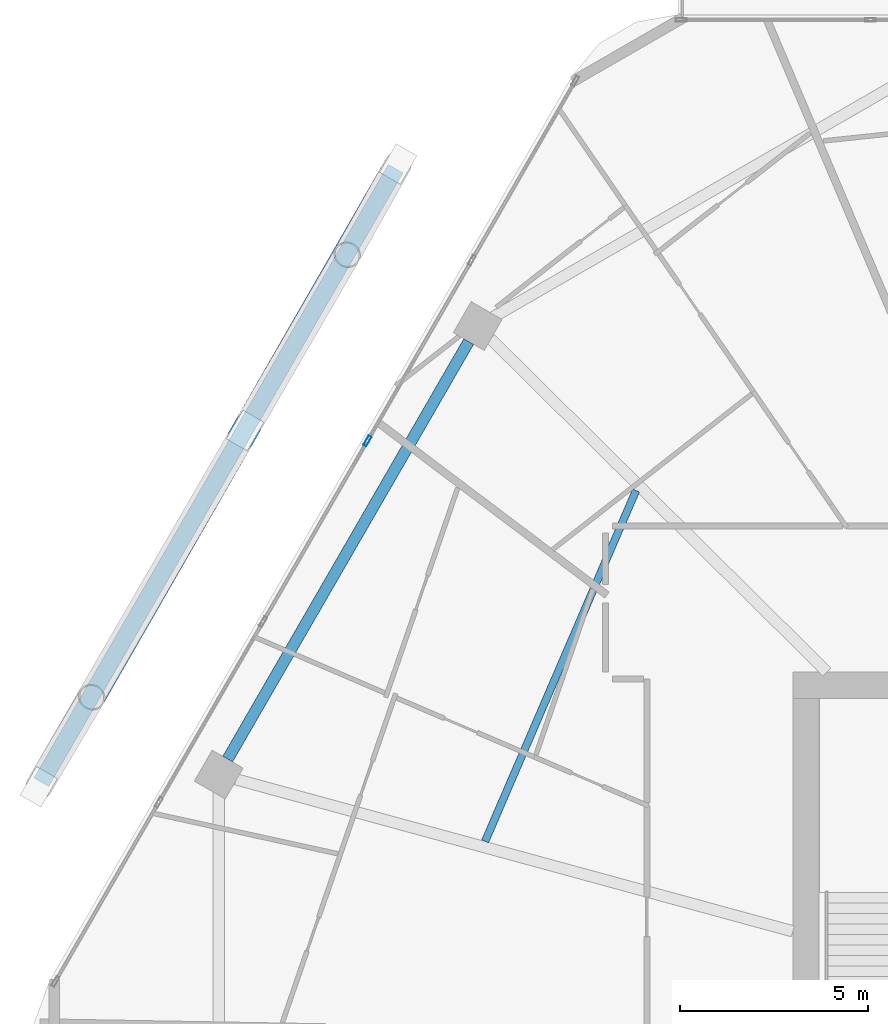
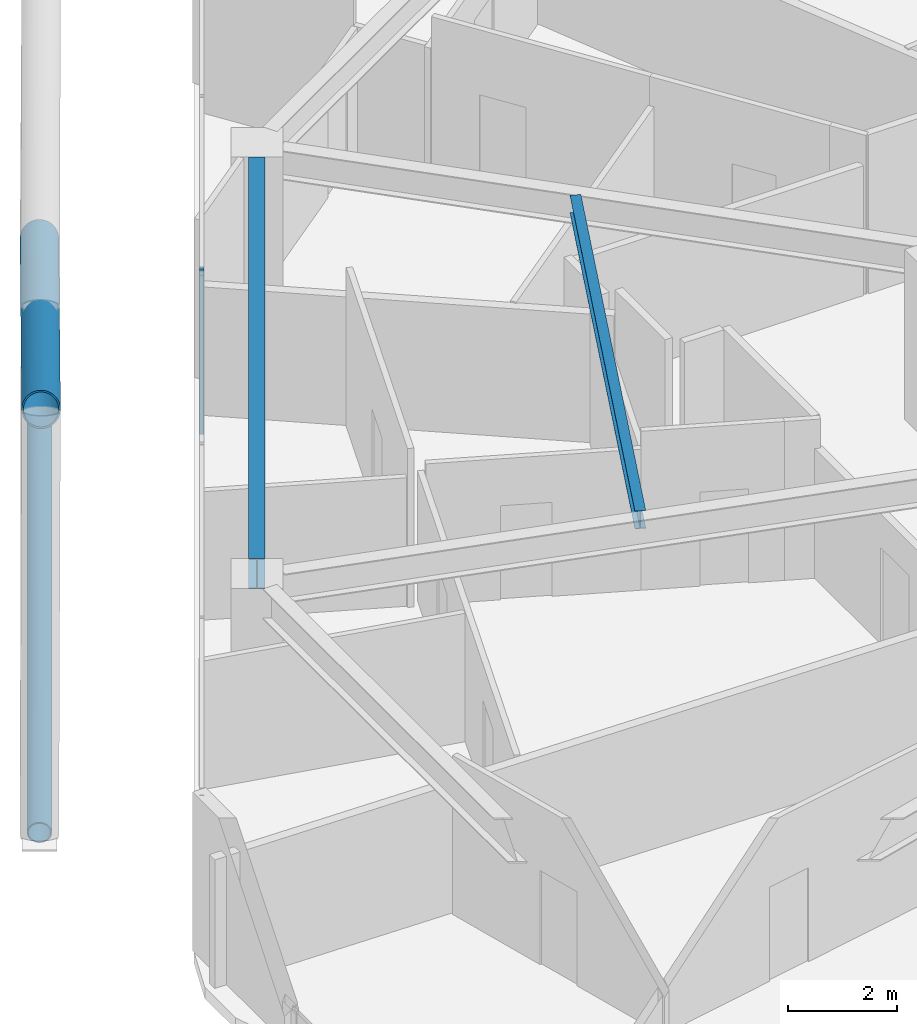
# One storey, part 11 of 28: 3 members, 2 beams, 1 element without a shape of its own.
"""IFC4 building model written with IfcOpenShell, lengths in metres."""

from ifc_helpers import new_model, si_unit, direction, frame, origin, origin_2d, place, context, subcontext, project, spatial, hollow_rectangle, hollow_circle, i_section, extrude, material, material_profile, profile_set, type_object, element, aggregate, save


model = new_model("IFC4")

# Units and contexts
model_context = context("Model", 3, precision=1e-05, world=origin(), true_north=direction((0.0, 1.0)))
body_context = subcontext(model_context, "Body", "Model", "MODEL_VIEW")
ifc_project = project(units=[si_unit("LENGTHUNIT", "METRE"), si_unit("AREAUNIT", "SQUARE_METRE"), si_unit("VOLUMEUNIT", "CUBIC_METRE"), si_unit("PLANEANGLEUNIT", "RADIAN"), si_unit("MASSUNIT", "GRAM", prefix="KILO")], contexts=[model_context])

# Site, building, storey
site_placement = place(None, origin())
site = spatial("IfcSite", under=ifc_project, at=site_placement, CompositionType="ELEMENT")
building_placement = place(site_placement, origin())
building = spatial("IfcBuilding", under=site, at=building_placement, Name="Zuhravey Tower", CompositionType="ELEMENT")
storey_placement = place(building_placement, frame((0.0, 0.0, 207.39990234375)))
storey = spatial("IfcBuildingStorey", under=building, at=storey_placement, Name="L52", CompositionType="ELEMENT", Elevation=207.39990234375)

# Curtain wall, member
ifc_material_1 = material(Name="Thermally broken anodised aluminium", Category="aluminium")
curtain_wall_type = type_object("IfcCurtainWallType", Name="Zone 1-2 Residential Curtain Wall CW3", PredefinedType="NOTDEFINED", material=ifc_material_1)
curtain_wall_placement = place(storey_placement, origin())
curtain_wall = element("IfcCurtainWall", 1, at=curtain_wall_placement, inside=storey, type_object=curtain_wall_type, Name="L52 CW3 CW-L52-F3-1", PredefinedType="NOTDEFINED")
ifc_material_2 = material(Name="Anodised aluminium", Category="aluminium")
ifc_material_profile_1 = material_profile(ifc_material_2, hollow_rectangle(XDim=0.090087890625, YDim=0.284912109375, WallThickness=0.0048828125, at=origin_2d()), Name="ALU-RHS-90x285x5")
ifc_profile_set_1 = profile_set([ifc_material_profile_1], Name="Anodised aluminium")
member_type_1 = type_object("IfcMemberType", Name="Curtain-Wall Mullion 90x180", PredefinedType="MULLION", material=ifc_profile_set_1)
member_1_placement = place(storey_placement, frame((13.844970703125, 47.992431640625, 0.0), z_axis=(0.0, 0.0, 1.0), x_axis=(-0.866025138215, 0.500000459979, 0.0)))
member_1 = element("IfcMember", 2, at=member_1_placement, type_object=member_type_1, Name="CW3 mullion 4", PredefinedType="MULLION", context=body_context, shape_type="SweptSolid", body=[
    extrude(hollow_rectangle(XDim=0.090087890625, YDim=0.284912109375, WallThickness=0.0048828125, at=origin_2d()), origin(), (0.0, 0.0, 1.0), 3.550048828125),
])
aggregate(curtain_wall, [member_1])

# Members
ifc_material_3 = material(Name="Steel SM355", Category="steel")
ifc_material_profile_2 = material_profile(ifc_material_3, hollow_circle(Radius=0.228515625, WallThickness=0.02197265625, at=origin_2d()), Name="CHS-457.2x22")
ifc_profile_set_2 = profile_set([ifc_material_profile_2], Name="Steel SM355")
member_type_2 = type_object("IfcMemberType", Name="Exoskeleton Ring Tie CHS457x22", PredefinedType="CHORD", material=ifc_profile_set_2)
member_2_placement = place(storey_placement, frame((14.593994140625, 55.230224609375, -0.4638671875), z_axis=(-0.499989194203, -0.866031642424, 0.0), x_axis=(0.866031642424, -0.499989194203, 0.0)))
element("IfcMember", 3, at=member_2_placement, inside=storey, type_object=member_type_2, Name="L52 Exoskeleton Face 3 Tie EXR1", PredefinedType="CHORD", context=body_context, shape_type="SweptSolid", body=[
    extrude(hollow_circle(Radius=0.228515625, WallThickness=0.02197265625, at=origin_2d()), origin(), (0.0, 0.0, 1.0), 18.830078125),
])
ifc_material_4 = material(Name="Steel SM460", Category="steel")
ifc_material_profile_3 = material_profile(ifc_material_4, hollow_circle(Radius=0.355712890625, WallThickness=0.031982421875, at=origin_2d()), Name="CHS-711.2x32")
ifc_profile_set_3 = profile_set([ifc_material_profile_3], Name="Steel SM460")
member_type_3 = type_object("IfcMemberType", Name="Exoskeleton Zone 2 Diagrid CHS711x32", PredefinedType="BRACE", material=ifc_profile_set_3)
member_3_placement = place(storey_placement, frame((14.642578125, 55.314208984375, -0.44384765625), z_axis=(-0.45188395547, -0.786046235385, 0.42182011169), x_axis=(0.866950447495, -0.498394343455, 0.0)))
element("IfcMember", 4, at=member_3_placement, inside=storey, type_object=member_type_3, Name="L52 Face 3 Diagrid Brace 2", PredefinedType="BRACE", context=body_context, shape_type="SweptSolid", body=[
    extrude(hollow_circle(Radius=0.355712890625, WallThickness=0.031982421875, at=origin_2d()), origin(), (0.0, 0.0, 1.0), 17.92236328125),
])

# Beams
ifc_material_profile_4 = material_profile(ifc_material_3, i_section(OverallWidth=0.300048828125, OverallDepth=0.679931640625, WebThickness=0.012939453125, FlangeThickness=0.02197265625, at=origin_2d()), Name="H-680x300x13x22")
ifc_profile_set_4 = profile_set([ifc_material_profile_4], Name="Steel SM355")
beam_type_1 = type_object("IfcBeamType", Name="Perimeter Ring Beam H680x300", PredefinedType="BEAM", material=ifc_profile_set_4)
beam_1_placement = place(storey_placement, frame((16.535400390625, 50.632568359375, 3.210205078125), z_axis=(-0.500003505699, -0.866023379758, 0.0), x_axis=(0.866023379758, -0.500003505699, 0.0)))
element("IfcBeam", 5, at=beam_1_placement, inside=storey, type_object=beam_type_1, Name="L52 PB2 BM-L52-PB-05", PredefinedType="BEAM", context=body_context, shape_type="SweptSolid", body=[
    extrude(i_section(OverallWidth=0.300048828125, OverallDepth=0.679931640625, WebThickness=0.012939453125, FlangeThickness=0.02197265625, at=origin_2d()), origin(), (0.0, 0.0, 1.0), 12.80810546875),
])
ifc_material_profile_5 = material_profile(ifc_material_3, i_section(OverallWidth=0.199951171875, OverallDepth=0.39990234375, WebThickness=0.008056640625, FlangeThickness=0.012939453125, at=origin_2d()), Name="H-400x200x8x13")
ifc_profile_set_5 = profile_set([ifc_material_profile_5], Name="Steel SM355")
beam_type_2 = type_object("IfcBeamType", Name="Secondary Floor Joist H400x200", PredefinedType="JOIST", material=ifc_profile_set_5)
beam_2_placement = place(storey_placement, frame((20.982421875, 46.676025390625, 3.35009765625), z_axis=(-0.395265853487, -0.918566766799, 0.0), x_axis=(0.918566766799, -0.395265853487, 0.0)))
element("IfcBeam", 6, at=beam_2_placement, inside=storey, type_object=beam_type_2, Name="L52 SJ2 BM-L52-SJ-05-1", PredefinedType="JOIST", context=body_context, shape_type="SweptSolid", body=[
    extrude(i_section(OverallWidth=0.199951171875, OverallDepth=0.39990234375, WebThickness=0.008056640625, FlangeThickness=0.012939453125, at=origin_2d()), origin(), (0.0, 0.0, 1.0), 10.150146484375),
])

save(model, "model.ifc")
